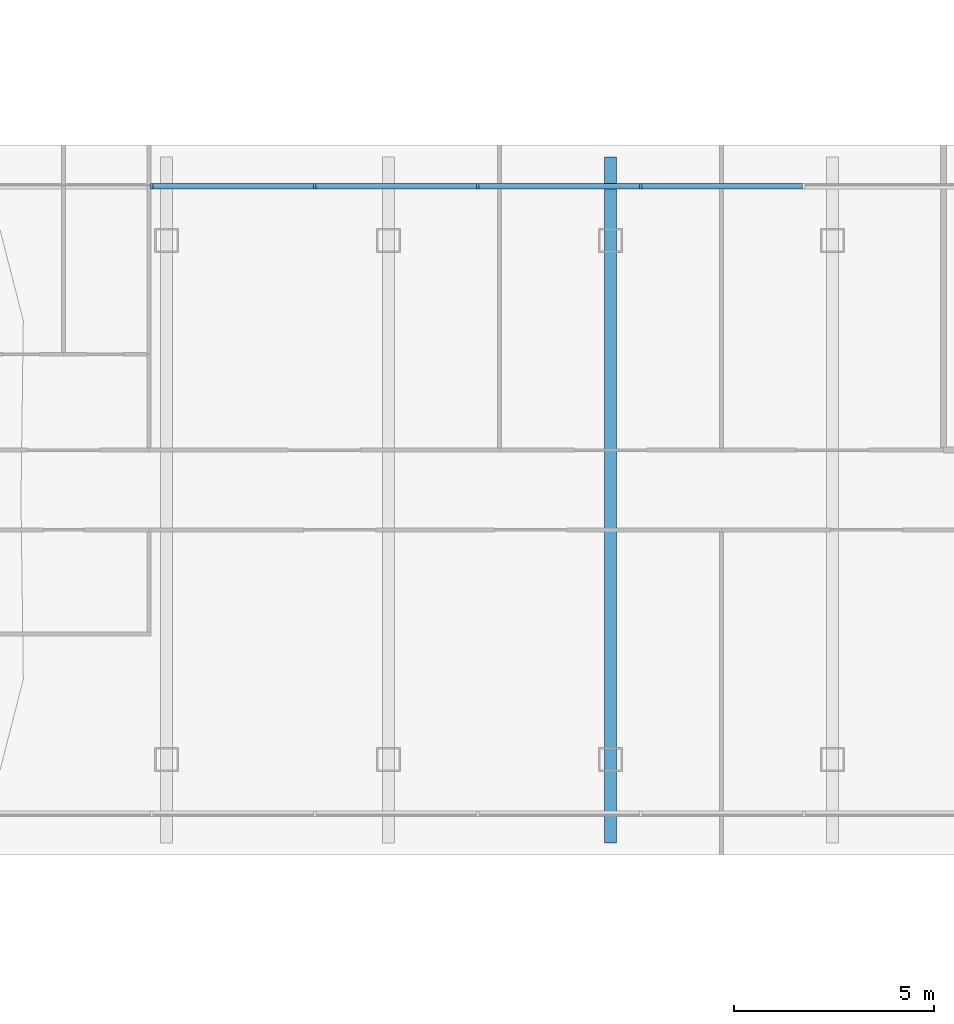
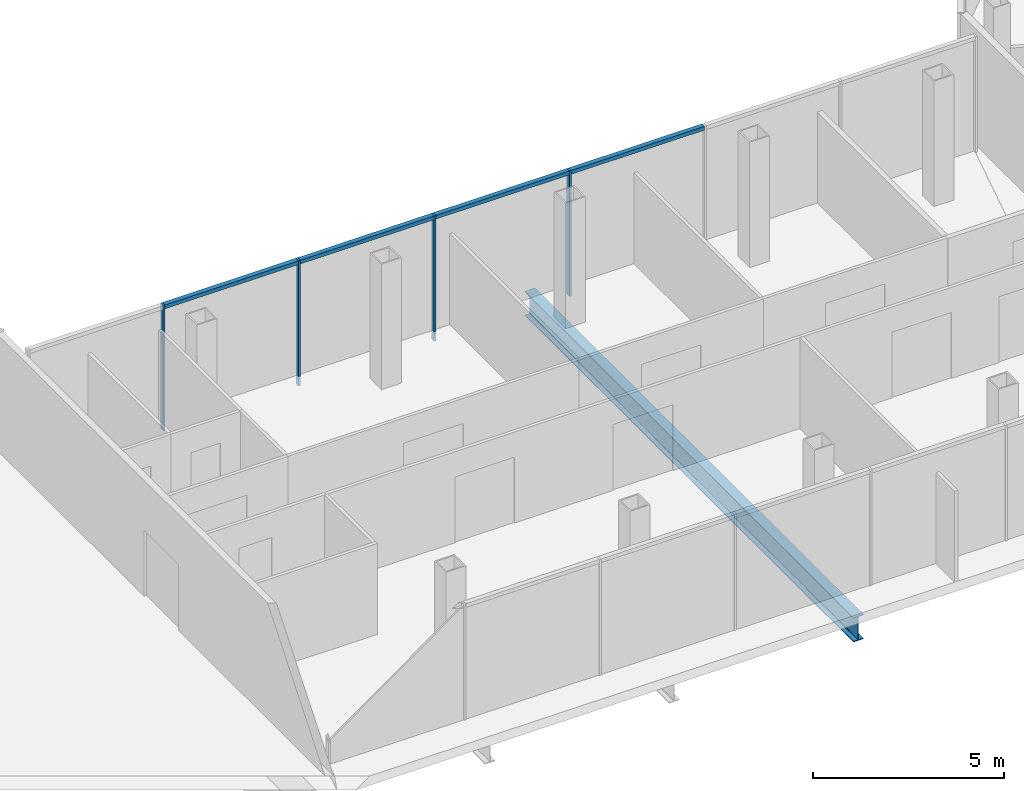
# One storey, part 9 of 26: 8 members, 1 beam, 1 element without a shape of its own.
"""IFC4 building model written with IfcOpenShell, lengths in metres."""

from ifc_helpers import new_model, si_unit, direction, frame, origin, origin_2d, place, context, subcontext, project, spatial, rectangle, i_section, extrude, material, material_profile, profile_set, type_object, element, aggregate, save


model = new_model("IFC4")

# Units and contexts
model_context = context("Model", 3, precision=1e-05, world=origin(), true_north=direction((0.0, 1.0)))
body_context = subcontext(model_context, "Body", "Model", "MODEL_VIEW")
ifc_project = project(units=[si_unit("LENGTHUNIT", "METRE"), si_unit("AREAUNIT", "SQUARE_METRE"), si_unit("VOLUMEUNIT", "CUBIC_METRE"), si_unit("PLANEANGLEUNIT", "RADIAN"), si_unit("MASSUNIT", "GRAM", prefix="KILO")], contexts=[model_context])

# Site, building, storey
site_placement = place(None, origin())
site = spatial("IfcSite", under=ifc_project, at=site_placement, CompositionType="ELEMENT")
building_placement = place(site_placement, origin())
building = spatial("IfcBuilding", under=site, at=building_placement, Name="Ogive Gate Towers", CompositionType="ELEMENT")
storey_placement = place(building_placement, frame((0.0, 0.0, 148.800048828125)))
storey = spatial("IfcBuildingStorey", under=building, at=storey_placement, Name="L35", CompositionType="ELEMENT", Elevation=148.800048828125)

# Beam
ifc_material_1 = material(Name="Steel SM460", Category="steel")
ifc_material_profile_1 = material_profile(ifc_material_1, i_section(OverallWidth=0.300048828125, OverallDepth=0.7900390625, WebThickness=0.014892578125, FlangeThickness=0.028076171875, FilletRadius=0.030029296875, at=origin_2d()), Name="HE 800 A")
ifc_profile_set_1 = profile_set([ifc_material_profile_1], Name="Steel SM460")
beam_type = type_object("IfcBeamType", Name="Block floor beam HE 800 A", PredefinedType="BEAM", material=ifc_profile_set_1)
beam_placement = place(storey_placement, frame((1.282470703125, -8.5859375, -0.695068359375), z_axis=(0.0, 1.0, 0.0), x_axis=(-1.0, 0.0, 0.0)))
element("IfcBeam", 1, at=beam_placement, inside=storey, type_object=beam_type, Name="BR/L35/SBM003", PredefinedType="BEAM", context=body_context, shape_type="SweptSolid", body=[
    extrude(i_section(OverallWidth=0.300048828125, OverallDepth=0.7900390625, WebThickness=0.014892578125, FlangeThickness=0.028076171875, FilletRadius=0.030029296875, at=origin_2d()), origin(), (0.0, 0.0, 1.0), 17.171875),
])

# Curtain wall, members
ifc_material_2 = material(Name="Pale metal aluminium", Category="aluminium")
curtain_wall_type = type_object("IfcCurtainWallType", Name="Gate block facade", PredefinedType="NOTDEFINED", material=ifc_material_2)
curtain_wall_placement = place(storey_placement, origin())
curtain_wall = element("IfcCurtainWall", 2, at=curtain_wall_placement, inside=storey, type_object=curtain_wall_type, Name="CW3 BR ECW02", PredefinedType="NOTDEFINED")
ifc_material_profile_2 = material_profile(ifc_material_2, rectangle(XDim=0.139892578125, YDim=0.06005859375, at=origin_2d()), Name="60 x 140 aluminium box")
ifc_profile_set_2 = profile_set([ifc_material_profile_2], Name="Pale metal aluminium")
member_type_1 = type_object("IfcMemberType", Name="Gate block facade mullion 60 x 140", PredefinedType="MULLION", material=ifc_profile_set_2)
member_1_placement = place(storey_placement, frame((2.04150390625, 7.85595703125, -0.300048828125), z_axis=(0.0, 0.0, 1.0), x_axis=(0.0, 1.0, 0.0)))
member_1 = element("IfcMember", 3, at=member_1_placement, type_object=member_type_1, Name="CW3 mullion", PredefinedType="MULLION", context=body_context, shape_type="SweptSolid", body=[
    extrude(rectangle(XDim=0.139892578125, YDim=0.06005859375, at=origin_2d()), origin(), (0.0, 0.0, 1.0), 4.0),
])
member_2_placement = place(storey_placement, frame((-2.04150390625, 7.85595703125, -0.300048828125), z_axis=(0.0, 0.0, 1.0), x_axis=(0.0, 1.0, 0.0)))
member_2 = element("IfcMember", 4, at=member_2_placement, type_object=member_type_1, Name="CW3 mullion", PredefinedType="MULLION", context=body_context, shape_type="SweptSolid", body=[
    extrude(rectangle(XDim=0.139892578125, YDim=0.06005859375, at=origin_2d()), origin(), (0.0, 0.0, 1.0), 4.0),
])
member_3_placement = place(storey_placement, frame((-6.125, 7.85595703125, -0.300048828125), z_axis=(0.0, 0.0, 1.0), x_axis=(0.0, 1.0, 0.0)))
member_3 = element("IfcMember", 5, at=member_3_placement, type_object=member_type_1, Name="CW3 mullion", PredefinedType="MULLION", context=body_context, shape_type="SweptSolid", body=[
    extrude(rectangle(XDim=0.139892578125, YDim=0.06005859375, at=origin_2d()), origin(), (0.0, 0.0, 1.0), 4.0),
])
member_4_placement = place(storey_placement, frame((-10.208251953125, 7.85595703125, -0.300048828125), z_axis=(0.0, 0.0, 1.0), x_axis=(0.0, 1.0, 0.0)))
member_4 = element("IfcMember", 6, at=member_4_placement, type_object=member_type_1, Name="CW3 mullion", PredefinedType="MULLION", context=body_context, shape_type="SweptSolid", body=[
    extrude(rectangle(XDim=0.139892578125, YDim=0.06005859375, at=origin_2d()), origin(), (0.0, 0.0, 1.0), 4.0),
])
ifc_material_profile_3 = material_profile(ifc_material_2, rectangle(XDim=0.139892578125, YDim=0.1201171875, at=origin_2d()), Name="120 x 140 aluminium box")
ifc_profile_set_3 = profile_set([ifc_material_profile_3], Name="Pale metal aluminium")
member_type_2 = type_object("IfcMemberType", Name="Gate block facade transom 120 x 140", PredefinedType="USERDEFINED", material=ifc_profile_set_3)
member_5_placement = place(storey_placement, frame((6.094970703125, 7.85595703125, 3.639892578125), z_axis=(-1.0, 0.0, 0.0), x_axis=(0.0, -1.0, 0.0)))
member_5 = element("IfcMember", 7, at=member_5_placement, type_object=member_type_2, Name="CW3 transom", ObjectType="TRANSOM", PredefinedType="USERDEFINED", context=body_context, shape_type="SweptSolid", body=[
    extrude(rectangle(XDim=0.139892578125, YDim=0.1201171875, at=origin_2d()), origin(), (0.0, 0.0, 1.0), 4.0234375),
])
member_6_placement = place(storey_placement, frame((2.01171875, 7.85595703125, 3.639892578125), z_axis=(-1.0, 0.0, 0.0), x_axis=(0.0, -1.0, 0.0)))
member_6 = element("IfcMember", 8, at=member_6_placement, type_object=member_type_2, Name="CW3 transom", ObjectType="TRANSOM", PredefinedType="USERDEFINED", context=body_context, shape_type="SweptSolid", body=[
    extrude(rectangle(XDim=0.139892578125, YDim=0.1201171875, at=origin_2d()), origin(), (0.0, 0.0, 1.0), 4.0234375),
])
member_7_placement = place(storey_placement, frame((-2.071533203125, 7.85595703125, 3.639892578125), z_axis=(-1.0, 0.0, 0.0), x_axis=(0.0, -1.0, 0.0)))
member_7 = element("IfcMember", 9, at=member_7_placement, type_object=member_type_2, Name="CW3 transom", ObjectType="TRANSOM", PredefinedType="USERDEFINED", context=body_context, shape_type="SweptSolid", body=[
    extrude(rectangle(XDim=0.139892578125, YDim=0.1201171875, at=origin_2d()), origin(), (0.0, 0.0, 1.0), 4.0234375),
])
member_8_placement = place(storey_placement, frame((-6.15478515625, 7.85595703125, 3.639892578125), z_axis=(-1.0, 0.0, 0.0), x_axis=(0.0, -1.0, 0.0)))
member_8 = element("IfcMember", 10, at=member_8_placement, type_object=member_type_2, Name="CW3 transom", ObjectType="TRANSOM", PredefinedType="USERDEFINED", context=body_context, shape_type="SweptSolid", body=[
    extrude(rectangle(XDim=0.139892578125, YDim=0.1201171875, at=origin_2d()), origin(), (0.0, 0.0, 1.0), 4.0234375),
])
aggregate(curtain_wall, [member_1, member_5, member_2, member_6, member_3, member_7, member_4, member_8])

save(model, "model.ifc")
